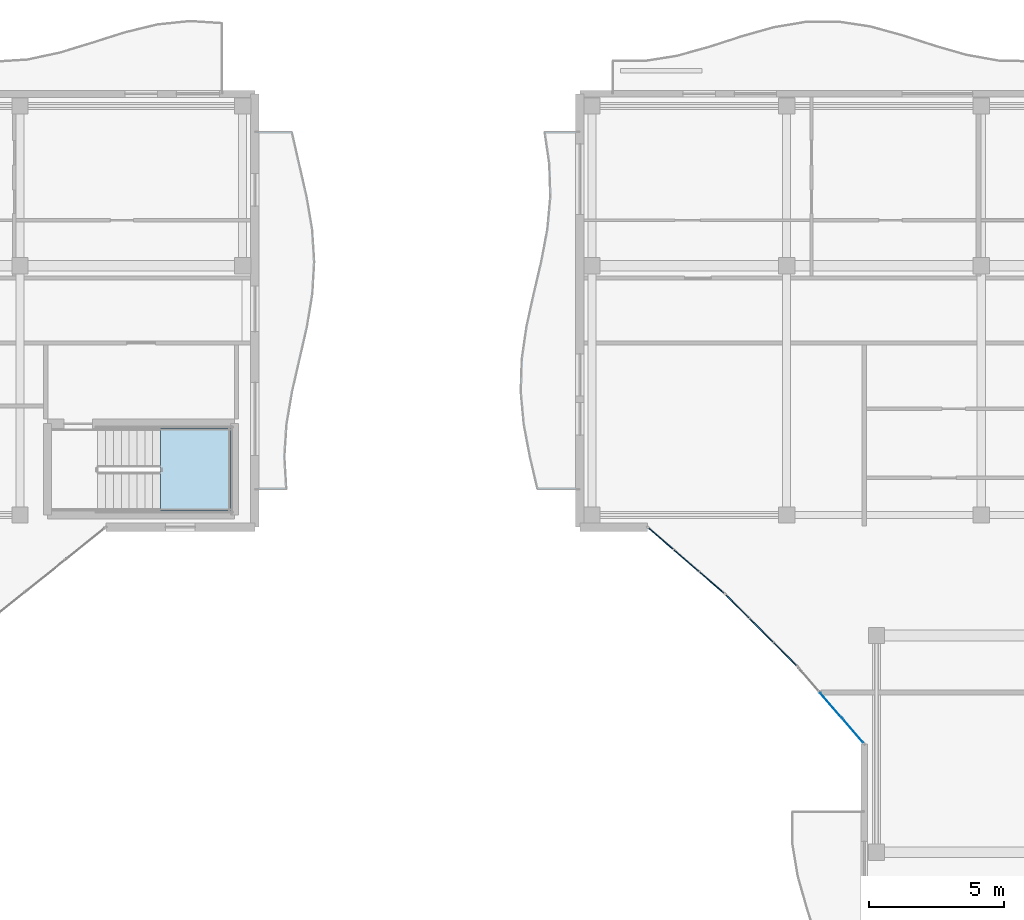
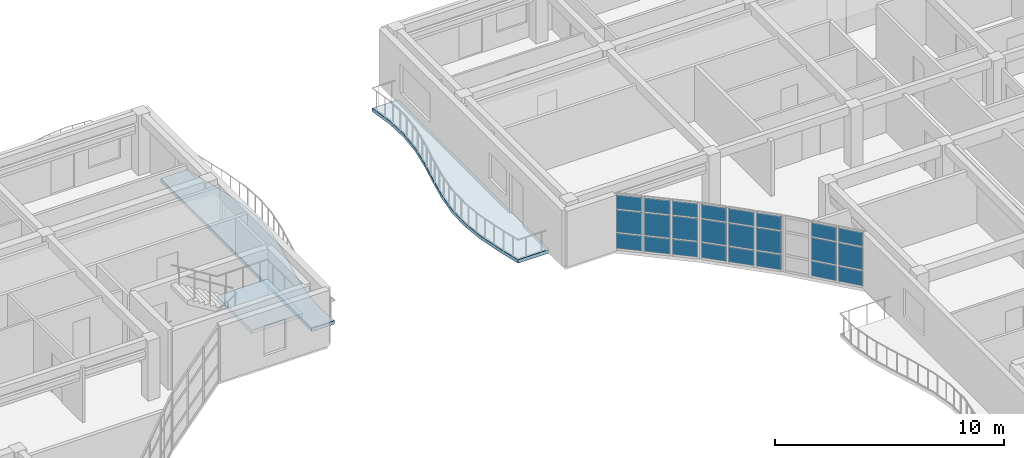
# One storey, part 26 of 72: 24 plates, 3 slabs, 4 elements without a shape of their own.
"""IFC4 building model written with IfcOpenShell, lengths in metres."""

from ifc_helpers import new_model, si_unit, direction, frame, origin, origin_2d, place, context, subcontext, project, spatial, polyline, rectangle, outline, extrude, material, layer, layer_set, type_object, element, aggregate, save


model = new_model("IFC4")

# Units and contexts
model_context = context("Model", 3, precision=1e-05, world=origin(), true_north=direction((0.0, 1.0)))
body_context = subcontext(model_context, "Body", "Model", "MODEL_VIEW")
ifc_project = project(units=[si_unit("LENGTHUNIT", "METRE"), si_unit("AREAUNIT", "SQUARE_METRE"), si_unit("VOLUMEUNIT", "CUBIC_METRE"), si_unit("PLANEANGLEUNIT", "RADIAN"), si_unit("MASSUNIT", "GRAM", prefix="KILO")], contexts=[model_context])

# Site, building, storey
site_placement = place(None, origin())
site = spatial("IfcSite", under=ifc_project, at=site_placement, CompositionType="ELEMENT")
building_placement = place(site_placement, origin())
building = spatial("IfcBuilding", under=site, at=building_placement, Name="Keldmere Railside Commons", CompositionType="ELEMENT")
storey_placement = place(building_placement, frame((0.0, 0.0, 16.9599609375)))
storey = spatial("IfcBuildingStorey", under=building, at=storey_placement, Name="L05", CompositionType="ELEMENT", Elevation=16.9599609375)

# Curtain wall, plates
ifc_material_1 = material(Name="Thermally Broken Aluminium", Category="aluminium")
ifc_layer_1 = layer(ifc_material_1, 0.159912109375, Name="Court Chord Wintergarden CW 4800x2850")
ifc_layer_set_1 = layer_set([ifc_layer_1], Name="Thermally Broken Aluminium")
curtain_wall_type_1 = type_object("IfcCurtainWallType", Name="Court Chord Wintergarden CW 4800x2850", PredefinedType="NOTDEFINED", material=ifc_layer_set_1)
curtain_wall_1_placement = place(storey_placement, origin())
curtain_wall_1 = element("IfcCurtainWall", 1, at=curtain_wall_1_placement, inside=storey, type_object=curtain_wall_type_1, Name="CW-12 CW-L05-118", PredefinedType="NOTDEFINED")
ifc_material_2 = material(Name="Low-E Insulated Double Glazing", Category="glass")
ifc_layer_2 = layer(ifc_material_2, 0.033935546875, Name="Acoustic Laminated Vision Panel 34")
ifc_layer_set_2 = layer_set([ifc_layer_2], Name="Low-E Insulated Double Glazing")
plate_type_1 = type_object("IfcPlateType", Name="Acoustic Laminated Vision Panel 34", PredefinedType="CURTAIN_PANEL", material=ifc_layer_set_2)
plate_1_placement = place(storey_placement, frame((98.369384765625, 97.952392578125, 0.06494140625), z_axis=(0.0, 0.0, 1.0), x_axis=(-0.756596767584, 0.653881741053, 0.0)))
plate_1 = element("IfcPlate", 2, at=plate_1_placement, type_object=plate_type_1, Name="CW-12 panel 1.1", PredefinedType="CURTAIN_PANEL", context=body_context, shape_type="SweptSolid", body=[
    extrude(rectangle(XDim=1.16162109375, YDim=0.033935546875, at=origin_2d()), origin(), (0.0, 0.0, 1.0), 0.802490234375),
])
plate_2_placement = place(storey_placement, frame((98.369384765625, 97.952392578125, 0.9326171875), z_axis=(0.0, 0.0, 1.0), x_axis=(-0.756596767584, 0.653881741053, 0.0)))
plate_2 = element("IfcPlate", 3, at=plate_2_placement, type_object=plate_type_1, Name="CW-12 panel 1.2", PredefinedType="CURTAIN_PANEL", context=body_context, shape_type="SweptSolid", body=[
    extrude(rectangle(XDim=1.16162109375, YDim=0.033935546875, at=origin_2d()), origin(), (0.0, 0.0, 1.0), 1.18505859375),
])
plate_3_placement = place(storey_placement, frame((98.369384765625, 97.952392578125, 2.1826171875), z_axis=(0.0, 0.0, 1.0), x_axis=(-0.756596767584, 0.653881741053, 0.0)))
plate_3 = element("IfcPlate", 4, at=plate_3_placement, type_object=plate_type_1, Name="CW-12 panel 1.3", PredefinedType="CURTAIN_PANEL", context=body_context, shape_type="SweptSolid", body=[
    extrude(rectangle(XDim=1.16162109375, YDim=0.033935546875, at=origin_2d()), origin(), (0.0, 0.0, 1.0), 0.732421875),
])
plate_4_placement = place(storey_placement, frame((97.428955078125, 98.764892578125, 0.06494140625), z_axis=(0.0, 0.0, 1.0), x_axis=(-0.756596767584, 0.653881741053, 0.0)))
plate_4 = element("IfcPlate", 5, at=plate_4_placement, type_object=plate_type_1, Name="CW-12 panel 2.1", PredefinedType="CURTAIN_PANEL", context=body_context, shape_type="SweptSolid", body=[
    extrude(rectangle(XDim=1.194091796875, YDim=0.033935546875, at=origin_2d()), origin(), (0.0, 0.0, 1.0), 0.802490234375),
])
plate_5_placement = place(storey_placement, frame((97.428955078125, 98.764892578125, 0.9326171875), z_axis=(0.0, 0.0, 1.0), x_axis=(-0.756596767584, 0.653881741053, 0.0)))
plate_5 = element("IfcPlate", 6, at=plate_5_placement, type_object=plate_type_1, Name="CW-12 panel 2.2", PredefinedType="CURTAIN_PANEL", context=body_context, shape_type="SweptSolid", body=[
    extrude(rectangle(XDim=1.194091796875, YDim=0.033935546875, at=origin_2d()), origin(), (0.0, 0.0, 1.0), 1.18505859375),
])
plate_6_placement = place(storey_placement, frame((97.428955078125, 98.764892578125, 2.1826171875), z_axis=(0.0, 0.0, 1.0), x_axis=(-0.756596767584, 0.653881741053, 0.0)))
plate_6 = element("IfcPlate", 7, at=plate_6_placement, type_object=plate_type_1, Name="CW-12 panel 2.3", PredefinedType="CURTAIN_PANEL", context=body_context, shape_type="SweptSolid", body=[
    extrude(rectangle(XDim=1.194091796875, YDim=0.033935546875, at=origin_2d()), origin(), (0.0, 0.0, 1.0), 0.732421875),
])
plate_7_placement = place(storey_placement, frame((96.488525390625, 99.57763671875, 0.06494140625), z_axis=(0.0, 0.0, 1.0), x_axis=(-0.756596767584, 0.653881741053, 0.0)))
plate_7 = element("IfcPlate", 8, at=plate_7_placement, type_object=plate_type_1, Name="CW-12 panel 3.1", PredefinedType="CURTAIN_PANEL", context=body_context, shape_type="SweptSolid", body=[
    extrude(rectangle(XDim=1.16162109375, YDim=0.033935546875, at=origin_2d()), origin(), (0.0, 0.0, 1.0), 0.802490234375),
])
plate_8_placement = place(storey_placement, frame((96.488525390625, 99.57763671875, 0.9326171875), z_axis=(0.0, 0.0, 1.0), x_axis=(-0.756596767584, 0.653881741053, 0.0)))
plate_8 = element("IfcPlate", 9, at=plate_8_placement, type_object=plate_type_1, Name="CW-12 panel 3.2", PredefinedType="CURTAIN_PANEL", context=body_context, shape_type="SweptSolid", body=[
    extrude(rectangle(XDim=1.16162109375, YDim=0.033935546875, at=origin_2d()), origin(), (0.0, 0.0, 1.0), 1.18505859375),
])
plate_9_placement = place(storey_placement, frame((96.488525390625, 99.57763671875, 2.1826171875), z_axis=(0.0, 0.0, 1.0), x_axis=(-0.756596767584, 0.653881741053, 0.0)))
plate_9 = element("IfcPlate", 10, at=plate_9_placement, type_object=plate_type_1, Name="CW-12 panel 3.3", PredefinedType="CURTAIN_PANEL", context=body_context, shape_type="SweptSolid", body=[
    extrude(rectangle(XDim=1.16162109375, YDim=0.033935546875, at=origin_2d()), origin(), (0.0, 0.0, 1.0), 0.732421875),
])
aggregate(curtain_wall_1, [plate_1, plate_2, plate_3, plate_4, plate_5, plate_6, plate_7, plate_8, plate_9])

ifc_layer_3 = layer(ifc_material_1, 0.159912109375, Name="Court Chord Wintergarden CW 5400x2850")
ifc_layer_set_3 = layer_set([ifc_layer_3], Name="Thermally Broken Aluminium")
curtain_wall_type_2 = type_object("IfcCurtainWallType", Name="Court Chord Wintergarden CW 5400x2850", PredefinedType="NOTDEFINED", material=ifc_layer_set_3)
curtain_wall_2_placement = place(storey_placement, origin())
curtain_wall_2 = element("IfcCurtainWall", 11, at=curtain_wall_2_placement, inside=storey, type_object=curtain_wall_type_2, Name="CW-13 CW-L05-119", PredefinedType="NOTDEFINED")
ifc_layer_4 = layer(ifc_material_2, 0.031982421875, Name="Clerestory Solar-Control Vision Panel 32")
ifc_layer_set_4 = layer_set([ifc_layer_4], Name="Low-E Insulated Double Glazing")
plate_type_2 = type_object("IfcPlateType", Name="Clerestory Solar-Control Vision Panel 32", PredefinedType="CURTAIN_PANEL", material=ifc_layer_set_4)
plate_10_placement = place(storey_placement, frame((101.0732421875, 95.31494140625, 0.06494140625), z_axis=(0.0, 0.0, 1.0), x_axis=(-0.707106781187, 0.707106781187, 0.0)))
plate_10 = element("IfcPlate", 12, at=plate_10_placement, type_object=plate_type_2, Name="CW-13 panel 1.1", PredefinedType="CURTAIN_PANEL", context=body_context, shape_type="SweptSolid", body=[
    extrude(rectangle(XDim=1.162109375, YDim=0.031982421875, at=origin_2d()), origin(), (0.0, 0.0, 1.0), 0.802490234375),
])
plate_11_placement = place(storey_placement, frame((101.0732421875, 95.31494140625, 0.9326171875), z_axis=(0.0, 0.0, 1.0), x_axis=(-0.707106781187, 0.707106781187, 0.0)))
plate_11 = element("IfcPlate", 13, at=plate_11_placement, type_object=plate_type_2, Name="CW-13 panel 1.2", PredefinedType="CURTAIN_PANEL", context=body_context, shape_type="SweptSolid", body=[
    extrude(rectangle(XDim=1.162109375, YDim=0.031982421875, at=origin_2d()), origin(), (0.0, 0.0, 1.0), 1.18505859375),
])
plate_12_placement = place(storey_placement, frame((101.0732421875, 95.31494140625, 2.1826171875), z_axis=(0.0, 0.0, 1.0), x_axis=(-0.707106781187, 0.707106781187, 0.0)))
plate_12 = element("IfcPlate", 14, at=plate_12_placement, type_object=plate_type_2, Name="CW-13 panel 1.3", PredefinedType="CURTAIN_PANEL", context=body_context, shape_type="SweptSolid", body=[
    extrude(rectangle(XDim=1.162109375, YDim=0.031982421875, at=origin_2d()), origin(), (0.0, 0.0, 1.0), 0.732421875),
])
plate_13_placement = place(storey_placement, frame((100.194091796875, 96.194091796875, 0.06494140625), z_axis=(0.0, 0.0, 1.0), x_axis=(-0.707106781187, 0.707106781187, 0.0)))
plate_13 = element("IfcPlate", 15, at=plate_13_placement, type_object=plate_type_2, Name="CW-13 panel 2.1", PredefinedType="CURTAIN_PANEL", context=body_context, shape_type="SweptSolid", body=[
    extrude(rectangle(XDim=1.194580078125, YDim=0.031982421875, at=origin_2d()), origin(), (0.0, 0.0, 1.0), 0.802490234375),
])
plate_14_placement = place(storey_placement, frame((100.194091796875, 96.194091796875, 0.9326171875), z_axis=(0.0, 0.0, 1.0), x_axis=(-0.707106781187, 0.707106781187, 0.0)))
plate_14 = element("IfcPlate", 16, at=plate_14_placement, type_object=plate_type_2, Name="CW-13 panel 2.2", PredefinedType="CURTAIN_PANEL", context=body_context, shape_type="SweptSolid", body=[
    extrude(rectangle(XDim=1.194580078125, YDim=0.031982421875, at=origin_2d()), origin(), (0.0, 0.0, 1.0), 1.18505859375),
])
plate_15_placement = place(storey_placement, frame((100.194091796875, 96.194091796875, 2.1826171875), z_axis=(0.0, 0.0, 1.0), x_axis=(-0.707106781187, 0.707106781187, 0.0)))
plate_15 = element("IfcPlate", 17, at=plate_15_placement, type_object=plate_type_2, Name="CW-13 panel 2.3", PredefinedType="CURTAIN_PANEL", context=body_context, shape_type="SweptSolid", body=[
    extrude(rectangle(XDim=1.194580078125, YDim=0.031982421875, at=origin_2d()), origin(), (0.0, 0.0, 1.0), 0.732421875),
])
plate_16_placement = place(storey_placement, frame((99.31494140625, 97.0732421875, 0.06494140625), z_axis=(0.0, 0.0, 1.0), x_axis=(-0.707106781187, 0.707106781187, 0.0)))
plate_16 = element("IfcPlate", 18, at=plate_16_placement, type_object=plate_type_2, Name="CW-13 panel 3.1", PredefinedType="CURTAIN_PANEL", context=body_context, shape_type="SweptSolid", body=[
    extrude(rectangle(XDim=1.162109375, YDim=0.031982421875, at=origin_2d()), origin(), (0.0, 0.0, 1.0), 0.802490234375),
])
plate_17_placement = place(storey_placement, frame((99.31494140625, 97.0732421875, 0.9326171875), z_axis=(0.0, 0.0, 1.0), x_axis=(-0.707106781187, 0.707106781187, 0.0)))
plate_17 = element("IfcPlate", 19, at=plate_17_placement, type_object=plate_type_2, Name="CW-13 panel 3.2", PredefinedType="CURTAIN_PANEL", context=body_context, shape_type="SweptSolid", body=[
    extrude(rectangle(XDim=1.162109375, YDim=0.031982421875, at=origin_2d()), origin(), (0.0, 0.0, 1.0), 1.18505859375),
])
plate_18_placement = place(storey_placement, frame((99.31494140625, 97.0732421875, 2.1826171875), z_axis=(0.0, 0.0, 1.0), x_axis=(-0.707106781187, 0.707106781187, 0.0)))
plate_18 = element("IfcPlate", 20, at=plate_18_placement, type_object=plate_type_2, Name="CW-13 panel 3.3", PredefinedType="CURTAIN_PANEL", context=body_context, shape_type="SweptSolid", body=[
    extrude(rectangle(XDim=1.162109375, YDim=0.031982421875, at=origin_2d()), origin(), (0.0, 0.0, 1.0), 0.732421875),
])
aggregate(curtain_wall_2, [plate_10, plate_11, plate_12, plate_13, plate_14, plate_15, plate_16, plate_17, plate_18])

# Stair, slab
ifc_material_3 = material(Name="Concrete H-30 (C30/37)", Category="concrete")
stair_type = type_object("IfcStairType", Name="Residential Core Dogleg Stair 1450", PredefinedType="HALF_TURN_STAIR", material=ifc_material_3)
stair_placement = place(storey_placement, origin())
stair = element("IfcStair", 21, at=stair_placement, inside=storey, type_object=stair_type, Name="L05 Block C Secondary Escape Stair 2", PredefinedType="HALF_TURN_STAIR")
ifc_layer_5 = layer(ifc_material_3, 0.199951171875, Name="Enclosed Stair Landing Slab 200")
ifc_layer_set_5 = layer_set([ifc_layer_5], Name="Concrete H-30 (C30/37)")
slab_type_1 = type_object("IfcSlabType", Name="Enclosed Stair Landing Slab 200", PredefinedType="LANDING", material=ifc_layer_set_5)
slab_1_placement = place(storey_placement, frame((0.0, 0.0, 1.400146484375)))
slab_1 = element("IfcSlab", 22, at=slab_1_placement, type_object=slab_type_1, Name="ST-C2 landing 1", PredefinedType="LANDING", context=body_context, shape_type="SweptSolid", body=[
    extrude(outline(polyline([(78.02001953125, 100.60009765625), (80.60009765625, 100.60009765625), (80.60009765625, 103.64990234375), (78.02001953125, 103.64990234375), (78.02001953125, 100.60009765625)])), origin(), (0.0, 0.0, 1.0), 0.199951171875),
])
aggregate(stair, [slab_1])

# Curtain wall, plates
curtain_wall_3_placement = place(storey_placement, origin())
curtain_wall_3 = element("IfcCurtainWall", 23, at=curtain_wall_3_placement, inside=storey, type_object=curtain_wall_type_1, Name="CW-12 CW-L05-120", PredefinedType="NOTDEFINED")
ifc_layer_6 = layer(ifc_material_2, 0.028076171875, Name="Low-E Vision Glazing Panel 28")
ifc_layer_set_6 = layer_set([ifc_layer_6], Name="Low-E Insulated Double Glazing")
plate_type_3 = type_object("IfcPlateType", Name="Low-E Vision Glazing Panel 28", PredefinedType="CURTAIN_PANEL", material=ifc_layer_set_6)
plate_19_placement = place(storey_placement, frame((103.57763671875, 92.488525390625, 0.06494140625), z_axis=(0.0, 0.0, 1.0), x_axis=(-0.653881741053, 0.756596767584, 0.0)))
plate_19 = element("IfcPlate", 24, at=plate_19_placement, type_object=plate_type_3, Name="CW-12 panel 1.1", PredefinedType="CURTAIN_PANEL", context=body_context, shape_type="SweptSolid", body=[
    extrude(rectangle(XDim=1.16162109375, YDim=0.028076171875, at=origin_2d()), origin(), (0.0, 0.0, 1.0), 0.802490234375),
])
plate_20_placement = place(storey_placement, frame((103.57763671875, 92.488525390625, 0.9326171875), z_axis=(0.0, 0.0, 1.0), x_axis=(-0.653881741053, 0.756596767584, 0.0)))
plate_20 = element("IfcPlate", 25, at=plate_20_placement, type_object=plate_type_3, Name="CW-12 panel 1.2", PredefinedType="CURTAIN_PANEL", context=body_context, shape_type="SweptSolid", body=[
    extrude(rectangle(XDim=1.16162109375, YDim=0.028076171875, at=origin_2d()), origin(), (0.0, 0.0, 1.0), 1.18505859375),
])
plate_21_placement = place(storey_placement, frame((103.57763671875, 92.488525390625, 2.1826171875), z_axis=(0.0, 0.0, 1.0), x_axis=(-0.653881741053, 0.756596767584, 0.0)))
plate_21 = element("IfcPlate", 26, at=plate_21_placement, type_object=plate_type_3, Name="CW-12 panel 1.3", PredefinedType="CURTAIN_PANEL", context=body_context, shape_type="SweptSolid", body=[
    extrude(rectangle(XDim=1.16162109375, YDim=0.028076171875, at=origin_2d()), origin(), (0.0, 0.0, 1.0), 0.732421875),
])
plate_22_placement = place(storey_placement, frame((102.764892578125, 93.428955078125, 0.06494140625), z_axis=(0.0, 0.0, 1.0), x_axis=(-0.653881741053, 0.756596767584, 0.0)))
plate_22 = element("IfcPlate", 27, at=plate_22_placement, type_object=plate_type_3, Name="CW-12 panel 2.1", PredefinedType="CURTAIN_PANEL", context=body_context, shape_type="SweptSolid", body=[
    extrude(rectangle(XDim=1.194091796875, YDim=0.028076171875, at=origin_2d()), origin(), (0.0, 0.0, 1.0), 0.802490234375),
])
plate_23_placement = place(storey_placement, frame((102.764892578125, 93.428955078125, 0.9326171875), z_axis=(0.0, 0.0, 1.0), x_axis=(-0.653881741053, 0.756596767584, 0.0)))
plate_23 = element("IfcPlate", 28, at=plate_23_placement, type_object=plate_type_3, Name="CW-12 panel 2.2", PredefinedType="CURTAIN_PANEL", context=body_context, shape_type="SweptSolid", body=[
    extrude(rectangle(XDim=1.194091796875, YDim=0.028076171875, at=origin_2d()), origin(), (0.0, 0.0, 1.0), 1.18505859375),
])
plate_24_placement = place(storey_placement, frame((102.764892578125, 93.428955078125, 2.1826171875), z_axis=(0.0, 0.0, 1.0), x_axis=(-0.653881741053, 0.756596767584, 0.0)))
plate_24 = element("IfcPlate", 29, at=plate_24_placement, type_object=plate_type_3, Name="CW-12 panel 2.3", PredefinedType="CURTAIN_PANEL", context=body_context, shape_type="SweptSolid", body=[
    extrude(rectangle(XDim=1.194091796875, YDim=0.028076171875, at=origin_2d()), origin(), (0.0, 0.0, 1.0), 0.732421875),
])
aggregate(curtain_wall_3, [plate_19, plate_20, plate_21, plate_22, plate_23, plate_24])

# Slabs
ifc_material_4 = material(Name="White Precast Concrete H-35 (C35/45)", Category="concrete")
ifc_layer_7 = layer(ifc_material_4, 0.179931640625, Name="Sinusoidal Wave Balcony Slab 180")
ifc_layer_set_7 = layer_set([ifc_layer_7], Name="White Precast Concrete H-35 (C35/45)")
slab_type_2 = type_object("IfcSlabType", Name="Sinusoidal Wave Balcony Slab 180", PredefinedType="FLOOR", material=ifc_layer_set_7)
slab_2_placement = place(storey_placement, frame((0.0, 0.0, -0.179931640625)))
element("IfcSlab", 30, at=slab_2_placement, inside=storey, type_object=slab_type_2, Name="WB-1 C L05 WE Wave Balcony", PredefinedType="FLOOR", context=body_context, shape_type="SweptSolid", body=[
    extrude(outline(polyline([(82.670654296875, 101.39990234375), (82.60009765625, 102.60009765625), (82.6767578125, 103.800048828125), (82.88037109375, 105.0), (83.15625, 106.199951171875), (83.430419921875, 107.39990234375), (83.62939453125, 108.60009765625), (83.699951171875, 109.800048828125), (83.623291015625, 111.0), (83.419677734375, 112.199951171875), (83.143798828125, 113.39990234375), (82.86962890625, 114.60009765625), (81.5, 114.60009765625), (81.5, 113.39990234375), (81.5, 112.199951171875), (81.5, 111.0), (81.5, 109.800048828125), (81.5, 108.60009765625), (81.5, 107.39990234375), (81.5, 106.199951171875), (81.5, 105.0), (81.5, 103.800048828125), (81.5, 102.60009765625), (81.5, 101.39990234375), (82.670654296875, 101.39990234375)])), origin(), (0.0, 0.0, 1.0), 0.179931640625),
])
slab_3_placement = place(storey_placement, frame((0.0, 0.0, -0.179931640625)))
element("IfcSlab", 31, at=slab_3_placement, inside=storey, type_object=slab_type_2, Name="WB-1 B L05 WW Wave Balcony", PredefinedType="FLOOR", context=body_context, shape_type="SweptSolid", body=[
    extrude(outline(polyline([(93.5, 101.39990234375), (93.5, 102.60009765625), (93.5, 103.800048828125), (93.5, 105.0), (93.5, 106.199951171875), (93.5, 107.39990234375), (93.5, 108.60009765625), (93.5, 109.800048828125), (93.5, 111.0), (93.5, 112.199951171875), (93.5, 113.39990234375), (93.5, 114.60009765625), (92.185791015625, 114.60009765625), (92.358642578125, 113.39990234375), (92.39501953125, 112.199951171875), (92.28564453125, 111.0), (92.059326171875, 109.800048828125), (91.777099609375, 108.60009765625), (91.51416015625, 107.39990234375), (91.34130859375, 106.199951171875), (91.304931640625, 105.0), (91.414306640625, 103.800048828125), (91.640625, 102.60009765625), (91.923095703125, 101.39990234375), (93.5, 101.39990234375)])), origin(), (0.0, 0.0, 1.0), 0.179931640625),
])

save(model, "model.ifc")
